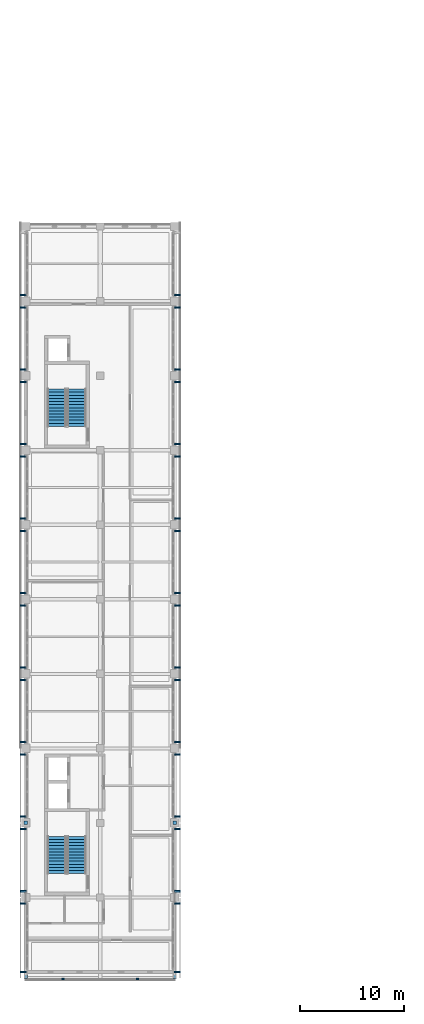
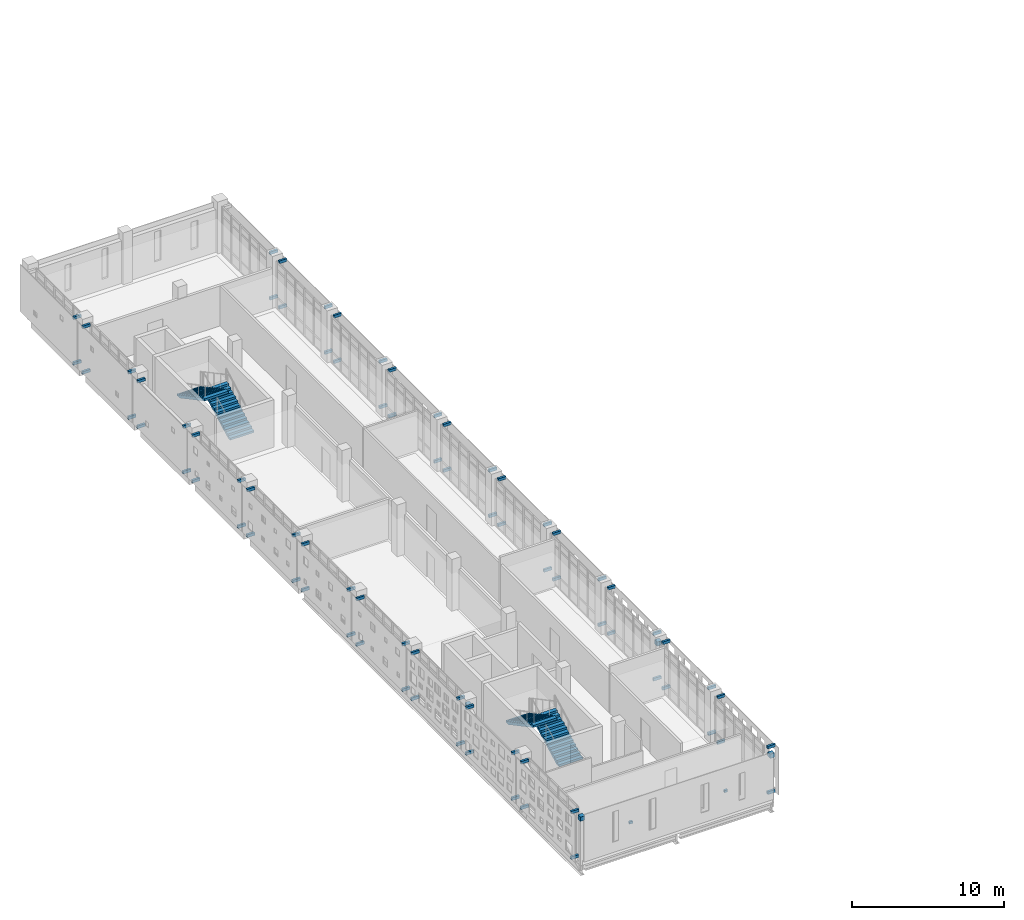
# One storey, part 27 of 33: 82 discrete accessories, 4 stair flights, 2 elements without a shape of their own.
"""IFC4 building model written with IfcOpenShell, lengths in metres."""

import ifcopenshell
import ifcopenshell.guid

model = None  # the IFC model being written
_history = None  # IfcOwnerHistory: only IFC2X3 demands one
_inside = {}  # id of a spatial element -> (the spatial element, [elements in it])
_under = {}  # id of a project, library or spatial element -> (it, [spatial elements below it])
_declared = {}  # id of a project -> (the project, [libraries it declares])
_typed = {}  # id of a type object -> (the type object, [elements of that type])
_made_of = {}  # id of a material, layer set ... -> (it, [elements and type objects made of it])


def new_model(schema):
    """Start an empty IFC model of exactly this schema.

    Asked for "IFC4X3", IfcOpenShell would pick the latest addendum, in which some entities
    have other attributes; the version numbers below select the first issue.
    IFC2X3 requires an IfcOwnerHistory on every rooted entity: one is made here for all.
    """
    global model, _history
    if schema == "IFC4X3":
        model = ifcopenshell.file(schema_version=(4, 3, 0, 0))
    else:
        model = ifcopenshell.file(schema=schema)
    _inside.clear()
    _under.clear()
    _declared.clear()
    _typed.clear()
    _made_of.clear()
    _history = None
    if model.schema == "IFC2X3":
        org = make("IfcOrganization", Name="unknown")
        user = make(
            "IfcPersonAndOrganization",
            ThePerson=make("IfcPerson", FamilyName="unknown"),
            TheOrganization=org,
        )
        app = make(
            "IfcApplication",
            ApplicationDeveloper=org,
            Version="unknown",
            ApplicationFullName="unknown",
            ApplicationIdentifier="unknown",
        )
        _history = make(
            "IfcOwnerHistory",
            OwningUser=user,
            OwningApplication=app,
            ChangeAction="ADDED",
            CreationDate=0,
        )
    return model


def make(cls, **values):
    """One entity of the class cls with the attributes given. An attribute that is None is left unset."""
    return model.create_entity(
        cls, **{name: value for name, value in values.items() if value is not None}
    )


def rooted(cls, **values):
    """An entity with a GlobalId (a new one), such as an element, a storey or a relation."""
    return make(cls, GlobalId=ifcopenshell.guid.new(), OwnerHistory=_history, **values)


def si_unit(unit_type, name, prefix=None):
    """IfcSIUnit, for example si_unit("LENGTHUNIT", "METRE", prefix="MILLI")."""
    return make("IfcSIUnit", UnitType=unit_type, Prefix=prefix, Name=name)


def assignment(units):
    """IfcUnitAssignment: the units of a project."""
    return None if units is None else make("IfcUnitAssignment", Units=units)


def point(xyz):
    """IfcCartesianPoint."""
    return None if xyz is None else make("IfcCartesianPoint", Coordinates=xyz)


def direction(xyz):
    """IfcDirection."""
    return None if xyz is None else make("IfcDirection", DirectionRatios=xyz)


def frame(location, z_axis=None, x_axis=None):
    """IfcAxis2Placement3D, a coordinate frame: its origin and axes. An axis left out is left unset."""
    return make(
        "IfcAxis2Placement3D",
        Location=point(location),
        Axis=direction(z_axis),
        RefDirection=direction(x_axis),
    )


def frame_2d(location, x_axis=None):
    """IfcAxis2Placement2D, a coordinate frame in the plane: its origin and x axis."""
    return make(
        "IfcAxis2Placement2D", Location=point(location), RefDirection=direction(x_axis)
    )


def origin():
    """The frame at (0, 0, 0) with its axes left unset."""
    return frame((0.0, 0.0, 0.0))


def origin_2d():
    """The frame at (0, 0) in the plane with its x axis left unset."""
    return frame_2d((0.0, 0.0))


def place(relative_to, where):
    """IfcLocalPlacement: puts the frame where relative to a parent placement (None: the world)."""
    return make(
        "IfcLocalPlacement", PlacementRelTo=relative_to, RelativePlacement=where
    )


def context(
    kind, dimensions, precision=None, world=None, true_north=None, identifier=None
):
    """IfcGeometricRepresentationContext, for example the 3D "Model" context."""
    return make(
        "IfcGeometricRepresentationContext",
        ContextIdentifier=identifier,
        ContextType=kind,
        CoordinateSpaceDimension=dimensions,
        Precision=precision,
        WorldCoordinateSystem=world,
        TrueNorth=true_north,
    )


def subcontext(parent, identifier, kind, view, scale=None):
    """IfcGeometricRepresentationSubContext, for example "Body" below "Model"."""
    return make(
        "IfcGeometricRepresentationSubContext",
        ContextIdentifier=identifier,
        ContextType=kind,
        ParentContext=parent,
        TargetScale=scale,
        TargetView=view,
    )


def project(units=None, contexts=None):
    """IfcProject with its units and contexts."""
    return rooted(
        "IfcProject",
        Name="project",
        RepresentationContexts=contexts,
        UnitsInContext=assignment(units),
    )


def spatial(cls, under=None, at=None, **own):
    """A site, building, storey or space (cls), placed at a placement, below another one or the project."""
    s = rooted(cls, ObjectPlacement=at, **own)
    if under is not None:
        _under.setdefault(under.id(), (under, []))[1].append(s)
    return s


def polyline(points):
    """IfcPolyline through the points."""
    return make("IfcPolyline", Points=[point(p) for p in points])


def profile(cls, at=None, kind="AREA", **sizes):
    """A parametric profile (cls). Its sizes go by their IFC names, for example OverallWidth=200.0."""
    return make(cls, ProfileType=kind, Position=at, **sizes)


def rectangle(**sizes):
    """IfcRectangleProfileDef."""
    return profile("IfcRectangleProfileDef", **sizes)


def outline(outer, holes=None, kind="AREA"):
    """IfcArbitraryClosedProfileDef: a profile drawn as a closed curve; with holes, ...WithVoids."""
    if holes is None:
        return make("IfcArbitraryClosedProfileDef", ProfileType=kind, OuterCurve=outer)
    return make(
        "IfcArbitraryProfileDefWithVoids",
        ProfileType=kind,
        OuterCurve=outer,
        InnerCurves=holes,
    )


def extrude(swept, where, along, depth):
    """IfcExtrudedAreaSolid: the profile swept, set in the frame where, extruded along a direction by depth."""
    return make(
        "IfcExtrudedAreaSolid",
        SweptArea=swept,
        Position=where,
        ExtrudedDirection=direction(along),
        Depth=depth,
    )


def shape(context_of_items, identifier, shape_type, items):
    """IfcShapeRepresentation: the items that make up one representation, for example the "Body"."""
    return make(
        "IfcShapeRepresentation",
        ContextOfItems=context_of_items,
        RepresentationIdentifier=identifier,
        RepresentationType=shape_type,
        Items=items,
    )


def material(Name=None, Category=None):
    """IfcMaterial."""
    return make("IfcMaterial", Name=Name, Category=Category)


def made_of(thing, what):
    """Note that an element or type object is made of a material, layer set ...; save() writes the relation."""
    if what is not None:
        _made_of.setdefault(what.id(), (what, []))[1].append(thing)
    return thing


def type_object(cls, material=None, **own):
    """A type object (cls), such as IfcWallType, which elements share."""
    return made_of(rooted(cls, **own), material)


def element(
    cls,
    number,
    at=None,
    inside=None,
    cuts=None,
    type_object=None,
    material=None,
    context=None,
    identifier="Body",
    shape_type=None,
    held_by="IfcProductDefinitionShape",
    body=None,
    shapes=None,
    **own,
):
    """One element of the class cls, such as IfcWall. Its Tag is "e" and its number.

    at: its placement. inside: the storey or other place that contains it. cuts: it is an
    opening in that element (IfcRelVoidsElement). A single representation is given by context,
    identifier, shape_type and body (its items); several are given by shapes. held_by: the class
    of the entity that holds the representations. save() writes the other relations.
    """
    e = rooted(cls, Tag="e%d" % number, ObjectPlacement=at, **own)
    if body is not None:
        shapes = [shape(context, identifier, shape_type, body)]
    if shapes is not None:
        e.Representation = make(held_by, Representations=shapes)
    if inside is not None:
        _inside.setdefault(inside.id(), (inside, []))[1].append(e)
    if cuts is not None:
        rooted(
            "IfcRelVoidsElement", RelatingBuildingElement=cuts, RelatedOpeningElement=e
        )
    if type_object is not None:
        _typed.setdefault(type_object.id(), (type_object, []))[1].append(e)
    return made_of(e, material)


def aggregate(whole, parts):
    """IfcRelAggregates: a whole, such as a stair, and the parts it consists of."""
    return rooted("IfcRelAggregates", RelatingObject=whole, RelatedObjects=parts)


def save(model, path):
    """Write the relations noted so far, then the file.

    IfcRelAggregates (storeys below a building ...), IfcRelContainedInSpatialStructure (elements
    in a storey), IfcRelDefinesByType, IfcRelAssociatesMaterial and IfcRelDeclares: one each for
    every whole, place, type object, material and project.
    """
    for whole, parts in _under.values():
        aggregate(whole, parts)
    for where, things in _inside.values():
        rooted(
            "IfcRelContainedInSpatialStructure",
            RelatedElements=things,
            RelatingStructure=where,
        )
    for kind, things in _typed.values():
        rooted("IfcRelDefinesByType", RelatedObjects=things, RelatingType=kind)
    for what, things in _made_of.values():
        rooted("IfcRelAssociatesMaterial", RelatedObjects=things, RelatingMaterial=what)
    for by, libraries in _declared.values():
        rooted("IfcRelDeclares", RelatingContext=by, RelatedDefinitions=libraries)
    model.write(path)


model = new_model("IFC4")

# Units and contexts
model_context = context("Model", 3, precision=1e-05, world=origin(), true_north=direction((0.0, 1.0)))
body_context = subcontext(model_context, "Body", "Model", "MODEL_VIEW")
ifc_project = project(units=[si_unit("LENGTHUNIT", "METRE"), si_unit("AREAUNIT", "SQUARE_METRE"), si_unit("VOLUMEUNIT", "CUBIC_METRE"), si_unit("PLANEANGLEUNIT", "RADIAN"), si_unit("MASSUNIT", "GRAM", prefix="KILO")], contexts=[model_context])

# Site, building, storey
site_placement = place(None, origin())
site = spatial("IfcSite", under=ifc_project, at=site_placement, CompositionType="ELEMENT")
building_placement = place(site_placement, origin())
building = spatial("IfcBuilding", under=site, at=building_placement, Name="Valkovuoma Quantum and Materials Research Institute", CompositionType="ELEMENT")
storey_placement = place(building_placement, frame((0.0, 0.0, 25.60009765625)))
storey = spatial("IfcBuildingStorey", under=building, at=storey_placement, Name="L06", CompositionType="ELEMENT", Elevation=25.60009765625)

# Stair, stair flights
ifc_material_1 = material(Name="Concrete C40/50", Category="concrete")
stair_type = type_object("IfcStairType", Name="Stair-ST-COR", PredefinedType="HALF_TURN_STAIR", material=ifc_material_1)
stair_1_placement = place(storey_placement, origin())
stair_1 = element("IfcStair", 1, at=stair_1_placement, inside=storey, type_object=stair_type, Name="L06 Exit Stair ST-1", PredefinedType="HALF_TURN_STAIR")
ifc_material_2 = material(Name="Concrete C40/50", Category="concrete")
stair_flight_type = type_object("IfcStairFlightType", Name="Flight-STF-145", PredefinedType="STRAIGHT", material=ifc_material_2)
stair_flight_1_placement = place(storey_placement, frame((4.949951171875, 31.10009765625, 0.0), z_axis=(0.0, 0.0, 1.0), x_axis=(0.0, 1.0, 0.0)))
stair_flight_1 = element("IfcStairFlight", 2, at=stair_flight_1_placement, type_object=stair_flight_type, Name="ST-1 flight 1", NumberOfRisers=13, NumberOfTreads=12, PredefinedType="STRAIGHT", RiserHeight=0.16, TreadLength=0.3, context=body_context, shape_type="SweptSolid", body=[
    extrude(outline(polyline([(0.0, 0.0), (0.0, 0.159912109375), (0.300048828125, 0.159912109375), (0.300048828125, 0.320068359375), (0.60009765625, 0.320068359375), (0.60009765625, 0.47998046875), (0.89990234375, 0.47998046875), (0.89990234375, 0.639892578125), (1.199951171875, 0.639892578125), (1.199951171875, 0.800048828125), (1.5, 0.800048828125), (1.5, 0.9599609375), (1.800048828125, 0.9599609375), (1.800048828125, 1.1201171875), (2.10009765625, 1.1201171875), (2.10009765625, 1.280029296875), (2.39990234375, 1.280029296875), (2.39990234375, 1.43994140625), (2.699951171875, 1.43994140625), (2.699951171875, 1.60009765625), (3.0, 1.60009765625), (3.0, 1.760009765625), (3.300048828125, 1.760009765625), (3.300048828125, 1.919921875), (3.60009765625, 1.919921875), (3.60009765625, 2.080078125), (3.60009765625, 1.75), (0.318603515625, 0.0), (0.0, 0.0)])), frame((0.0, 0.89990234375, 0.0), z_axis=(0.0, -1.0, 0.0), x_axis=(1.0, 0.0, 0.0)), (0.0, 0.0, 1.0), 1.800048828125),
])
stair_flight_2_placement = place(storey_placement, frame((3.0, 34.699951171875, 2.079833984375), z_axis=(0.0, 0.0, 1.0), x_axis=(0.0, -1.0, 0.0)))
stair_flight_2 = element("IfcStairFlight", 3, at=stair_flight_2_placement, type_object=stair_flight_type, Name="ST-1 flight 2", NumberOfRisers=13, NumberOfTreads=12, PredefinedType="STRAIGHT", RiserHeight=0.16, TreadLength=0.3, context=body_context, shape_type="SweptSolid", body=[
    extrude(outline(polyline([(0.0, 0.0), (0.0, 0.159912109375), (0.300048828125, 0.159912109375), (0.300048828125, 0.320068359375), (0.60009765625, 0.320068359375), (0.60009765625, 0.47998046875), (0.89990234375, 0.47998046875), (0.89990234375, 0.639892578125), (1.199951171875, 0.639892578125), (1.199951171875, 0.800048828125), (1.5, 0.800048828125), (1.5, 0.9599609375), (1.800048828125, 0.9599609375), (1.800048828125, 1.1201171875), (2.10009765625, 1.1201171875), (2.10009765625, 1.280029296875), (2.39990234375, 1.280029296875), (2.39990234375, 1.43994140625), (2.699951171875, 1.43994140625), (2.699951171875, 1.60009765625), (3.0, 1.60009765625), (3.0, 1.760009765625), (3.300048828125, 1.760009765625), (3.300048828125, 1.919921875), (3.60009765625, 1.919921875), (3.60009765625, 2.080078125), (3.60009765625, 1.75), (0.318603515625, 0.0), (0.0, 0.0)])), frame((0.0, 0.89990234375, 0.0), z_axis=(0.0, -1.0, 0.0), x_axis=(1.0, 0.0, 0.0)), (0.0, 0.0, 1.0), 1.800048828125),
])
aggregate(stair_1, [stair_flight_1, stair_flight_2])

stair_2_placement = place(storey_placement, origin())
stair_2 = element("IfcStair", 4, at=stair_2_placement, inside=storey, type_object=stair_type, Name="L06 Exit Stair ST-2", PredefinedType="HALF_TURN_STAIR")
stair_flight_3_placement = place(storey_placement, frame((4.949951171875, 74.300048828125, 0.0), z_axis=(0.0, 0.0, 1.0), x_axis=(0.0, 1.0, 0.0)))
stair_flight_3 = element("IfcStairFlight", 5, at=stair_flight_3_placement, type_object=stair_flight_type, Name="ST-2 flight 1", NumberOfRisers=13, NumberOfTreads=12, PredefinedType="STRAIGHT", RiserHeight=0.16, TreadLength=0.3, context=body_context, shape_type="SweptSolid", body=[
    extrude(outline(polyline([(0.0, 0.0), (0.0, 0.159912109375), (0.300048828125, 0.159912109375), (0.300048828125, 0.320068359375), (0.60009765625, 0.320068359375), (0.60009765625, 0.47998046875), (0.89990234375, 0.47998046875), (0.89990234375, 0.639892578125), (1.199951171875, 0.639892578125), (1.199951171875, 0.800048828125), (1.5, 0.800048828125), (1.5, 0.9599609375), (1.800048828125, 0.9599609375), (1.800048828125, 1.1201171875), (2.10009765625, 1.1201171875), (2.10009765625, 1.280029296875), (2.39990234375, 1.280029296875), (2.39990234375, 1.43994140625), (2.699951171875, 1.43994140625), (2.699951171875, 1.60009765625), (3.0, 1.60009765625), (3.0, 1.760009765625), (3.300048828125, 1.760009765625), (3.300048828125, 1.919921875), (3.60009765625, 1.919921875), (3.60009765625, 2.080078125), (3.60009765625, 1.75), (0.318603515625, 0.0), (0.0, 0.0)])), frame((0.0, 0.89990234375, 0.0), z_axis=(0.0, -1.0, 0.0), x_axis=(1.0, 0.0, 0.0)), (0.0, 0.0, 1.0), 1.800048828125),
])
stair_flight_4_placement = place(storey_placement, frame((3.0, 77.89990234375, 2.079833984375), z_axis=(0.0, 0.0, 1.0), x_axis=(0.0, -1.0, 0.0)))
stair_flight_4 = element("IfcStairFlight", 6, at=stair_flight_4_placement, type_object=stair_flight_type, Name="ST-2 flight 2", NumberOfRisers=13, NumberOfTreads=12, PredefinedType="STRAIGHT", RiserHeight=0.16, TreadLength=0.3, context=body_context, shape_type="SweptSolid", body=[
    extrude(outline(polyline([(0.0, 0.0), (0.0, 0.159912109375), (0.300048828125, 0.159912109375), (0.300048828125, 0.320068359375), (0.60009765625, 0.320068359375), (0.60009765625, 0.47998046875), (0.89990234375, 0.47998046875), (0.89990234375, 0.639892578125), (1.199951171875, 0.639892578125), (1.199951171875, 0.800048828125), (1.5, 0.800048828125), (1.5, 0.9599609375), (1.800048828125, 0.9599609375), (1.800048828125, 1.1201171875), (2.10009765625, 1.1201171875), (2.10009765625, 1.280029296875), (2.39990234375, 1.280029296875), (2.39990234375, 1.43994140625), (2.699951171875, 1.43994140625), (2.699951171875, 1.60009765625), (3.0, 1.60009765625), (3.0, 1.760009765625), (3.300048828125, 1.760009765625), (3.300048828125, 1.919921875), (3.60009765625, 1.919921875), (3.60009765625, 2.080078125), (3.60009765625, 1.75), (0.318603515625, 0.0), (0.0, 0.0)])), frame((0.0, 0.89990234375, 0.0), z_axis=(0.0, -1.0, 0.0), x_axis=(1.0, 0.0, 0.0)), (0.0, 0.0, 1.0), 1.800048828125),
])
aggregate(stair_2, [stair_flight_3, stair_flight_4])

# Discrete accessories
ifc_material_3 = material(Name="Steel S355J2", Category="steel")
discrete_accessory_type_1 = type_object("IfcDiscreteAccessoryType", Name="Brk-BRK-01", PredefinedType="BRACKET", material=ifc_material_3)
for number, where, z_axis, x_axis, name in (
    (7, (3.60009765625, 20.919921875, 1.81494140625), (0.0, 0.0, 1.0), (0.0, 1.0, 0.0), "L06 south end skin bracket 1"),
    (8, (10.800048828125, 20.919921875, 1.81494140625), (0.0, 0.0, 1.0), (0.0, 1.0, 0.0), "L06 south end skin bracket 2"),
):
    element("IfcDiscreteAccessory", number, at=place(storey_placement, frame(where, z_axis=z_axis, x_axis=x_axis)), inside=storey, type_object=discrete_accessory_type_1, Name=name, PredefinedType="BRACKET", context=body_context, shape_type="SweptSolid", body=[
        extrude(rectangle(XDim=0.159912109375, YDim=0.239990234375, at=origin_2d()), origin(), (0.0, 0.0, 1.0), 0.179931640625),
    ])
for number, where, z_axis, x_axis, name in (
    (9, (-0.25, 21.60009765625, -0.0302734375), (0.0, 0.0, 1.0), (1.0, 0.0, 0.0), "L06 screen bracket 00301"),
    (10, (-0.25, 28.199951171875, -0.0302734375), (0.0, 0.0, 1.0), (1.0, 0.0, 0.0), "L06 screen bracket 00302"),
    (11, (-0.25, 21.60009765625, 3.6201171875), (0.0, 0.0, 1.0), (1.0, 0.0, 0.0), "L06 screen bracket 00303"),
    (12, (-0.25, 28.199951171875, 3.6201171875), (0.0, 0.0, 1.0), (1.0, 0.0, 0.0), "L06 screen bracket 00304"),
    (13, (14.64990234375, 21.60009765625, -0.0302734375), (0.0, 0.0, 1.0), (1.0, 0.0, 0.0), "L06 screen bracket 00305"),
    (14, (14.64990234375, 28.199951171875, -0.0302734375), (0.0, 0.0, 1.0), (1.0, 0.0, 0.0), "L06 screen bracket 00306"),
    (15, (14.64990234375, 21.60009765625, 3.6201171875), (0.0, 0.0, 1.0), (1.0, 0.0, 0.0), "L06 screen bracket 00307"),
    (16, (14.64990234375, 28.199951171875, 3.6201171875), (0.0, 0.0, 1.0), (1.0, 0.0, 0.0), "L06 screen bracket 00308"),
    (17, (-0.25, 29.39990234375, -0.0302734375), (0.0, 0.0, 1.0), (1.0, 0.0, 0.0), "L06 screen bracket 00309"),
    (18, (-0.25, 35.39990234375, -0.0302734375), (0.0, 0.0, 1.0), (1.0, 0.0, 0.0), "L06 screen bracket 00310"),
    (19, (-0.25, 29.39990234375, 3.6201171875), (0.0, 0.0, 1.0), (1.0, 0.0, 0.0), "L06 screen bracket 00311"),
    (20, (-0.25, 35.39990234375, 3.6201171875), (0.0, 0.0, 1.0), (1.0, 0.0, 0.0), "L06 screen bracket 00312"),
    (21, (14.64990234375, 29.39990234375, -0.0302734375), (0.0, 0.0, 1.0), (1.0, 0.0, 0.0), "L06 screen bracket 00313"),
    (22, (14.64990234375, 35.39990234375, -0.0302734375), (0.0, 0.0, 1.0), (1.0, 0.0, 0.0), "L06 screen bracket 00314"),
    (23, (14.64990234375, 29.39990234375, 3.6201171875), (0.0, 0.0, 1.0), (1.0, 0.0, 0.0), "L06 screen bracket 00315"),
    (24, (14.64990234375, 35.39990234375, 3.6201171875), (0.0, 0.0, 1.0), (1.0, 0.0, 0.0), "L06 screen bracket 00316"),
    (25, (-0.25, 36.60009765625, -0.0302734375), (0.0, 0.0, 1.0), (1.0, 0.0, 0.0), "L06 screen bracket 00317"),
    (26, (-0.25, 42.60009765625, -0.0302734375), (0.0, 0.0, 1.0), (1.0, 0.0, 0.0), "L06 screen bracket 00318"),
    (27, (-0.25, 36.60009765625, 3.6201171875), (0.0, 0.0, 1.0), (1.0, 0.0, 0.0), "L06 screen bracket 00319"),
    (28, (-0.25, 42.60009765625, 3.6201171875), (0.0, 0.0, 1.0), (1.0, 0.0, 0.0), "L06 screen bracket 00320"),
    (29, (14.64990234375, 36.60009765625, -0.0302734375), (0.0, 0.0, 1.0), (1.0, 0.0, 0.0), "L06 screen bracket 00321"),
    (30, (14.64990234375, 42.60009765625, -0.0302734375), (0.0, 0.0, 1.0), (1.0, 0.0, 0.0), "L06 screen bracket 00322"),
    (31, (14.64990234375, 36.60009765625, 3.6201171875), (0.0, 0.0, 1.0), (1.0, 0.0, 0.0), "L06 screen bracket 00323"),
    (32, (14.64990234375, 42.60009765625, 3.6201171875), (0.0, 0.0, 1.0), (1.0, 0.0, 0.0), "L06 screen bracket 00324"),
    (33, (-0.25, 43.800048828125, -0.0302734375), (0.0, 0.0, 1.0), (1.0, 0.0, 0.0), "L06 screen bracket 00325"),
    (34, (-0.25, 49.800048828125, -0.0302734375), (0.0, 0.0, 1.0), (1.0, 0.0, 0.0), "L06 screen bracket 00326"),
    (35, (-0.25, 43.800048828125, 3.6201171875), (0.0, 0.0, 1.0), (1.0, 0.0, 0.0), "L06 screen bracket 00327"),
    (36, (-0.25, 49.800048828125, 3.6201171875), (0.0, 0.0, 1.0), (1.0, 0.0, 0.0), "L06 screen bracket 00328"),
    (37, (14.64990234375, 43.800048828125, -0.0302734375), (0.0, 0.0, 1.0), (1.0, 0.0, 0.0), "L06 screen bracket 00329"),
    (38, (14.64990234375, 49.800048828125, -0.0302734375), (0.0, 0.0, 1.0), (1.0, 0.0, 0.0), "L06 screen bracket 00330"),
    (39, (14.64990234375, 43.800048828125, 3.6201171875), (0.0, 0.0, 1.0), (1.0, 0.0, 0.0), "L06 screen bracket 00331"),
    (40, (14.64990234375, 49.800048828125, 3.6201171875), (0.0, 0.0, 1.0), (1.0, 0.0, 0.0), "L06 screen bracket 00332"),
    (41, (-0.25, 51.0, -0.0302734375), (0.0, 0.0, 1.0), (1.0, 0.0, 0.0), "L06 screen bracket 00333"),
    (42, (-0.25, 57.0, -0.0302734375), (0.0, 0.0, 1.0), (1.0, 0.0, 0.0), "L06 screen bracket 00334"),
    (43, (-0.25, 51.0, 3.6201171875), (0.0, 0.0, 1.0), (1.0, 0.0, 0.0), "L06 screen bracket 00335"),
    (44, (-0.25, 57.0, 3.6201171875), (0.0, 0.0, 1.0), (1.0, 0.0, 0.0), "L06 screen bracket 00336"),
    (45, (14.64990234375, 51.0, -0.0302734375), (0.0, 0.0, 1.0), (1.0, 0.0, 0.0), "L06 screen bracket 00337"),
    (46, (14.64990234375, 57.0, -0.0302734375), (0.0, 0.0, 1.0), (1.0, 0.0, 0.0), "L06 screen bracket 00338"),
    (47, (14.64990234375, 51.0, 3.6201171875), (0.0, 0.0, 1.0), (1.0, 0.0, 0.0), "L06 screen bracket 00339"),
    (48, (14.64990234375, 57.0, 3.6201171875), (0.0, 0.0, 1.0), (1.0, 0.0, 0.0), "L06 screen bracket 00340"),
    (49, (-0.25, 58.199951171875, -0.0302734375), (0.0, 0.0, 1.0), (1.0, 0.0, 0.0), "L06 screen bracket 00341"),
    (50, (-0.25, 64.199951171875, -0.0302734375), (0.0, 0.0, 1.0), (1.0, 0.0, 0.0), "L06 screen bracket 00342"),
    (51, (-0.25, 58.199951171875, 3.6201171875), (0.0, 0.0, 1.0), (1.0, 0.0, 0.0), "L06 screen bracket 00343"),
    (52, (-0.25, 64.199951171875, 3.6201171875), (0.0, 0.0, 1.0), (1.0, 0.0, 0.0), "L06 screen bracket 00344"),
    (53, (14.64990234375, 58.199951171875, -0.0302734375), (0.0, 0.0, 1.0), (1.0, 0.0, 0.0), "L06 screen bracket 00345"),
    (54, (14.64990234375, 64.199951171875, -0.0302734375), (0.0, 0.0, 1.0), (1.0, 0.0, 0.0), "L06 screen bracket 00346"),
    (55, (14.64990234375, 58.199951171875, 3.6201171875), (0.0, 0.0, 1.0), (1.0, 0.0, 0.0), "L06 screen bracket 00347"),
    (56, (14.64990234375, 64.199951171875, 3.6201171875), (0.0, 0.0, 1.0), (1.0, 0.0, 0.0), "L06 screen bracket 00348"),
    (57, (-0.25, 65.39990234375, -0.0302734375), (0.0, 0.0, 1.0), (1.0, 0.0, 0.0), "L06 screen bracket 00349"),
    (58, (-0.25, 71.39990234375, -0.0302734375), (0.0, 0.0, 1.0), (1.0, 0.0, 0.0), "L06 screen bracket 00350"),
    (59, (-0.25, 65.39990234375, 3.6201171875), (0.0, 0.0, 1.0), (1.0, 0.0, 0.0), "L06 screen bracket 00351"),
    (60, (-0.25, 71.39990234375, 3.6201171875), (0.0, 0.0, 1.0), (1.0, 0.0, 0.0), "L06 screen bracket 00352"),
    (61, (14.64990234375, 65.39990234375, -0.0302734375), (0.0, 0.0, 1.0), (1.0, 0.0, 0.0), "L06 screen bracket 00353"),
    (62, (14.64990234375, 71.39990234375, -0.0302734375), (0.0, 0.0, 1.0), (1.0, 0.0, 0.0), "L06 screen bracket 00354"),
    (63, (14.64990234375, 65.39990234375, 3.6201171875), (0.0, 0.0, 1.0), (1.0, 0.0, 0.0), "L06 screen bracket 00355"),
    (64, (14.64990234375, 71.39990234375, 3.6201171875), (0.0, 0.0, 1.0), (1.0, 0.0, 0.0), "L06 screen bracket 00356"),
    (65, (-0.25, 72.60009765625, -0.0302734375), (0.0, 0.0, 1.0), (1.0, 0.0, 0.0), "L06 screen bracket 00357"),
    (66, (-0.25, 78.60009765625, -0.0302734375), (0.0, 0.0, 1.0), (1.0, 0.0, 0.0), "L06 screen bracket 00358"),
    (67, (-0.25, 72.60009765625, 3.6201171875), (0.0, 0.0, 1.0), (1.0, 0.0, 0.0), "L06 screen bracket 00359"),
    (68, (-0.25, 78.60009765625, 3.6201171875), (0.0, 0.0, 1.0), (1.0, 0.0, 0.0), "L06 screen bracket 00360"),
    (69, (14.64990234375, 72.60009765625, -0.0302734375), (0.0, 0.0, 1.0), (1.0, 0.0, 0.0), "L06 screen bracket 00361"),
    (70, (14.64990234375, 78.60009765625, -0.0302734375), (0.0, 0.0, 1.0), (1.0, 0.0, 0.0), "L06 screen bracket 00362"),
    (71, (14.64990234375, 72.60009765625, 3.6201171875), (0.0, 0.0, 1.0), (1.0, 0.0, 0.0), "L06 screen bracket 00363"),
    (72, (14.64990234375, 78.60009765625, 3.6201171875), (0.0, 0.0, 1.0), (1.0, 0.0, 0.0), "L06 screen bracket 00364"),
    (73, (-0.25, 79.800048828125, -0.0302734375), (0.0, 0.0, 1.0), (1.0, 0.0, 0.0), "L06 screen bracket 00365"),
    (74, (-0.25, 85.800048828125, -0.0302734375), (0.0, 0.0, 1.0), (1.0, 0.0, 0.0), "L06 screen bracket 00366"),
    (75, (-0.25, 79.800048828125, 3.6201171875), (0.0, 0.0, 1.0), (1.0, 0.0, 0.0), "L06 screen bracket 00367"),
    (76, (-0.25, 85.800048828125, 3.6201171875), (0.0, 0.0, 1.0), (1.0, 0.0, 0.0), "L06 screen bracket 00368"),
    (77, (14.64990234375, 79.800048828125, -0.0302734375), (0.0, 0.0, 1.0), (1.0, 0.0, 0.0), "L06 screen bracket 00369"),
    (78, (14.64990234375, 85.800048828125, -0.0302734375), (0.0, 0.0, 1.0), (1.0, 0.0, 0.0), "L06 screen bracket 00370"),
    (79, (14.64990234375, 79.800048828125, 3.6201171875), (0.0, 0.0, 1.0), (1.0, 0.0, 0.0), "L06 screen bracket 00371"),
    (80, (14.64990234375, 85.800048828125, 3.6201171875), (0.0, 0.0, 1.0), (1.0, 0.0, 0.0), "L06 screen bracket 00372"),
    (81, (-0.25, 87.0, -0.0302734375), (0.0, 0.0, 1.0), (1.0, 0.0, 0.0), "L06 screen bracket 00373"),
    (82, (-0.25, 87.0, 3.6201171875), (0.0, 0.0, 1.0), (1.0, 0.0, 0.0), "L06 screen bracket 00375"),
    (83, (14.64990234375, 87.0, -0.0302734375), (0.0, 0.0, 1.0), (1.0, 0.0, 0.0), "L06 screen bracket 00377"),
    (84, (14.64990234375, 87.0, 3.6201171875), (0.0, 0.0, 1.0), (1.0, 0.0, 0.0), "L06 screen bracket 00379"),
):
    element("IfcDiscreteAccessory", number, at=place(storey_placement, frame(where, z_axis=z_axis, x_axis=x_axis)), inside=storey, type_object=discrete_accessory_type_1, Name=name, PredefinedType="BRACKET", context=body_context, shape_type="SweptSolid", body=[
        extrude(rectangle(XDim=0.580078125, YDim=0.159912109375, at=origin_2d()), origin(), (0.0, 0.0, 1.0), 0.219970703125),
    ])
ifc_material_4 = material(Name="Steel S355J2", Category="steel")
discrete_accessory_type_2 = type_object("IfcDiscreteAccessoryType", Name="Conn-END-01", PredefinedType="BRACKET", material=ifc_material_4)
for number, where, z_axis, x_axis, name in (
    (85, (0.0, 21.14990234375, 3.23974609375), (0.0, 0.0, 1.0), (1.0, 0.0, 0.0), "L06 brace end connection assembly 0027"),
    (86, (0.0, 36.0, 3.23974609375), (0.0, 0.0, 1.0), (1.0, 0.0, 0.0), "L06 brace end connection assembly 0028"),
    (87, (14.39990234375, 21.14990234375, 3.23974609375), (0.0, 0.0, 1.0), (1.0, 0.0, 0.0), "L06 brace end connection assembly 0029"),
    (88, (14.39990234375, 36.0, 3.23974609375), (0.0, 0.0, 1.0), (1.0, 0.0, 0.0), "L06 brace end connection assembly 0030"),
):
    element("IfcDiscreteAccessory", number, at=place(storey_placement, frame(where, z_axis=z_axis, x_axis=x_axis)), inside=storey, type_object=discrete_accessory_type_2, Name=name, PredefinedType="BRACKET", context=body_context, shape_type="SweptSolid", body=[
        extrude(rectangle(XDim=0.340087890625, YDim=0.340087890625, at=origin_2d()), origin(), (0.0, 0.0, 1.0), 0.340087890625),
    ])

save(model, "model.ifc")
